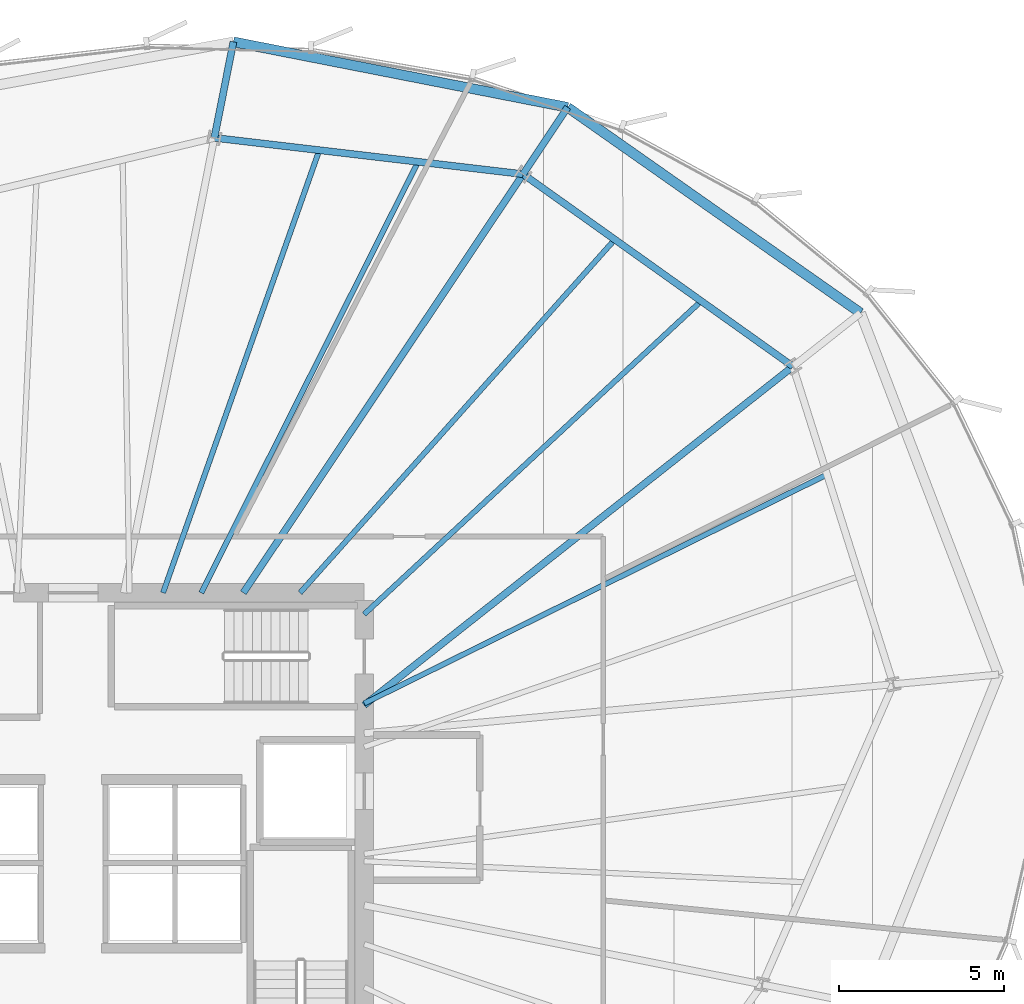
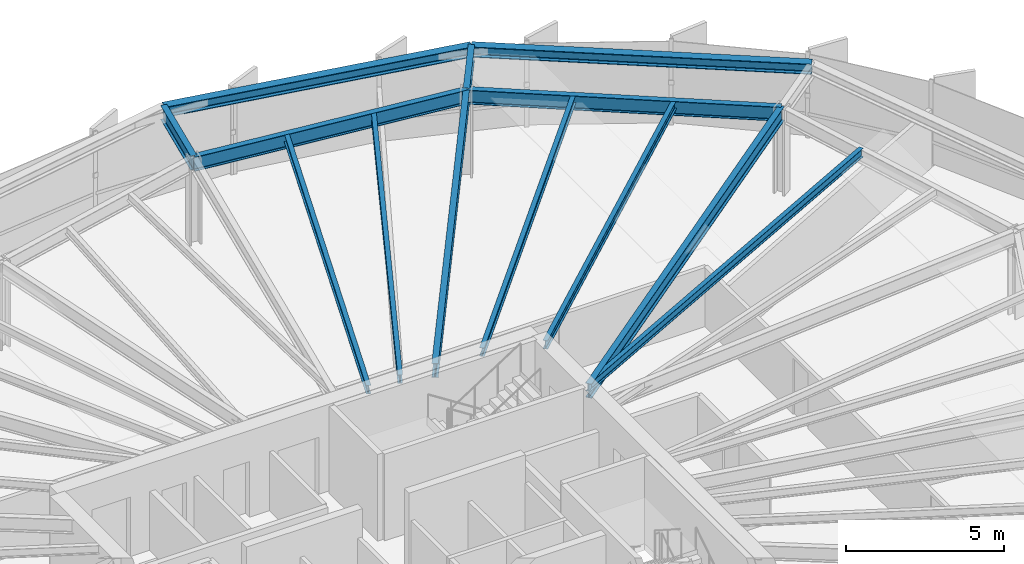
# One storey, part 22 of 33: 13 beams.
"""IFC4 building model written with IfcOpenShell, lengths in metres."""

from ifc_helpers import new_model, si_unit, direction, frame, origin, origin_2d, place, context, subcontext, project, spatial, i_section, extrude, source, transform, mapped, material, material_profile, profile_set, type_object, element, save


model = new_model("IFC4")

# Units and contexts
model_context = context("Model", 3, precision=1e-05, world=origin(), true_north=direction((0.0, 1.0)))
body_context = subcontext(model_context, "Body", "Model", "MODEL_VIEW")
ifc_project = project(units=[si_unit("LENGTHUNIT", "METRE"), si_unit("AREAUNIT", "SQUARE_METRE"), si_unit("VOLUMEUNIT", "CUBIC_METRE"), si_unit("PLANEANGLEUNIT", "RADIAN"), si_unit("MASSUNIT", "GRAM", prefix="KILO"), si_unit("THERMODYNAMICTEMPERATUREUNIT", "KELVIN")], contexts=[model_context])

# Site, building, storey
site_placement = place(None, origin())
site = spatial("IfcSite", under=ifc_project, at=site_placement, CompositionType="ELEMENT")
building_placement = place(site_placement, origin())
building = spatial("IfcBuilding", under=site, at=building_placement, Name="Kethvar Cultural Tower", CompositionType="ELEMENT")
storey_placement = place(building_placement, frame((0.0, 0.0, 110.800048828125)))
storey = spatial("IfcBuildingStorey", under=building, at=storey_placement, Name="L27", CompositionType="ELEMENT", Elevation=110.800048828125)

# Beams
ifc_material = material(Name="Steel S355J2", Category="steel")
ifc_material_profile_1 = material_profile(ifc_material, i_section(OverallWidth=0.2099609375, OverallDepth=0.550048828125, WebThickness=0.010986328125, FlangeThickness=0.01708984375, FilletRadius=0.02392578125, at=origin_2d()), Name="Steel S355J2 — IPE550")
ifc_profile_set_1 = profile_set([ifc_material_profile_1], Name="Steel S355J2 — IPE550")
beam_type_1 = type_object("IfcBeamType", Name="BM-IPE550", PredefinedType="BEAM", material=ifc_profile_set_1)
shared_shape_1 = source(origin(), body_context, "Body", "SweptSolid", [
    extrude(i_section(OverallWidth=0.2099609375, OverallDepth=0.550048828125, WebThickness=0.010986328125, FlangeThickness=0.01708984375, FilletRadius=0.02392578125, at=origin_2d()), origin(), (0.0, 0.0, 1.0), 16.527099609375),
])
beam_1_placement = place(storey_placement, frame((55.60009765625, 32.10009765625, 3.072998046875), z_axis=(0.784681939021, 0.619898584105, 0.0), x_axis=(-0.619898584105, 0.784681939021, 0.0)))
element("IfcBeam", 1, at=beam_1_placement, inside=storey, type_object=beam_type_1, Name="L27 Primary Radial Beam RB-02", PredefinedType="BEAM", context=body_context, shape_type="MappedRepresentation", body=[
    mapped(shared_shape_1, transform((0.0, 0.0, 0.0), scale=1.0)),
])
shared_shape_2 = source(origin(), body_context, "Body", "SweptSolid", [
    extrude(i_section(OverallWidth=0.2099609375, OverallDepth=0.550048828125, WebThickness=0.010986328125, FlangeThickness=0.01708984375, FilletRadius=0.02392578125, at=origin_2d()), origin(), (0.0, 0.0, 1.0), 15.22705078125),
])
beam_2_placement = place(storey_placement, frame((51.945068359375, 35.5, 3.072998046875), z_axis=(0.555569390778, 0.83147017507, 0.0), x_axis=(-0.83147017507, 0.555569390778, 0.0)))
element("IfcBeam", 2, at=beam_2_placement, inside=storey, type_object=beam_type_1, Name="L27 Primary Radial Beam RB-03", PredefinedType="BEAM", context=body_context, shape_type="MappedRepresentation", body=[
    mapped(shared_shape_2, transform((0.0, 0.0, 0.0), scale=1.0)),
])
ifc_material_profile_2 = material_profile(ifc_material, i_section(OverallWidth=0.159912109375, OverallDepth=0.330078125, WebThickness=0.007568359375, FlangeThickness=0.011474609375, FilletRadius=0.01806640625, at=origin_2d()), Name="Steel S355J2 — IPE330")
ifc_profile_set_2 = profile_set([ifc_material_profile_2], Name="Steel S355J2 — IPE330")
beam_type_2 = type_object("IfcBeamType", Name="BM-J330", PredefinedType="JOIST", material=ifc_profile_set_2)
shared_shape_3 = source(origin(), body_context, "Body", "SweptSolid", [
    extrude(i_section(OverallWidth=0.159912109375, OverallDepth=0.330078125, WebThickness=0.007568359375, FlangeThickness=0.011474609375, FilletRadius=0.01806640625, at=origin_2d()), origin(), (0.0, 0.0, 1.0), 15.618896484375),
])
beam_3_placement = place(storey_placement, frame((55.60009765625, 32.152587890625, 3.182861328125), z_axis=(0.896344638992, 0.443357968408, 0.0), x_axis=(-0.443357968408, 0.896344638992, 0.0)))
element("IfcBeam", 3, at=beam_3_placement, inside=storey, type_object=beam_type_2, Name="L27 Composite Floor Joist J-01B", PredefinedType="JOIST", context=body_context, shape_type="MappedRepresentation", body=[
    mapped(shared_shape_3, transform((0.0, 0.0, 0.0), scale=1.0)),
])
shared_shape_4 = source(origin(), body_context, "Body", "SweptSolid", [
    extrude(i_section(OverallWidth=0.2099609375, OverallDepth=0.550048828125, WebThickness=0.010986328125, FlangeThickness=0.01708984375, FilletRadius=0.02392578125, at=origin_2d()), origin(), (0.0, 0.0, 1.0), 10.0234375),
])
beam_4_placement = place(storey_placement, frame((68.568603515625, 42.34521484375, 3.072998046875), z_axis=(-0.814470106239, 0.580205520521, 0.0), x_axis=(-0.580205520521, -0.814470106239, 0.0)))
element("IfcBeam", 4, at=beam_4_placement, inside=storey, type_object=beam_type_1, Name="L27 Column Ring Tie Beam CR-02", PredefinedType="BEAM", context=body_context, shape_type="MappedRepresentation", body=[
    mapped(shared_shape_4, transform((0.0, 0.0, 0.0), scale=1.0)),
])
shared_shape_5 = source(origin(), body_context, "Body", "SweptSolid", [
    extrude(i_section(OverallWidth=0.159912109375, OverallDepth=0.330078125, WebThickness=0.007568359375, FlangeThickness=0.011474609375, FilletRadius=0.01806640625, at=origin_2d()), origin(), (0.0, 0.0, 1.0), 13.91455078125),
])
beam_5_placement = place(storey_placement, frame((55.60009765625, 34.85009765625, 3.182861328125), z_axis=(0.732512843328, 0.680753211054, 0.0), x_axis=(-0.680753211054, 0.732512843328, 0.0)))
element("IfcBeam", 5, at=beam_5_placement, inside=storey, type_object=beam_type_2, Name="L27 Composite Floor Joist J-02A", PredefinedType="JOIST", context=body_context, shape_type="MappedRepresentation", body=[
    mapped(shared_shape_5, transform((0.0, 0.0, 0.0), scale=1.0)),
])
shared_shape_6 = source(origin(), body_context, "Body", "SweptSolid", [
    extrude(i_section(OverallWidth=0.159912109375, OverallDepth=0.330078125, WebThickness=0.007568359375, FlangeThickness=0.011474609375, FilletRadius=0.01806640625, at=origin_2d()), origin(), (0.0, 0.0, 1.0), 14.3095703125),
])
beam_6_placement = place(storey_placement, frame((53.660888671875, 35.5, 3.182861328125), z_axis=(0.665261381663, 0.746610537073, 0.0), x_axis=(-0.746610537073, 0.665261381663, 0.0)))
element("IfcBeam", 6, at=beam_6_placement, inside=storey, type_object=beam_type_2, Name="L27 Composite Floor Joist J-02B", PredefinedType="JOIST", context=body_context, shape_type="MappedRepresentation", body=[
    mapped(shared_shape_6, transform((0.0, 0.0, 0.0), scale=1.0)),
])
shared_shape_7 = source(origin(), body_context, "Body", "SweptSolid", [
    extrude(i_section(OverallWidth=0.2099609375, OverallDepth=0.550048828125, WebThickness=0.010986328125, FlangeThickness=0.01708984375, FilletRadius=0.02392578125, at=origin_2d()), origin(), (0.0, 0.0, 1.0), 9.400634765625),
])
beam_7_placement = place(storey_placement, frame((60.40478515625, 48.160888671875, 3.072998046875), z_axis=(-0.993150427046, 0.116842754407, 0.0), x_axis=(-0.116842754407, -0.993150427046, 0.0)))
element("IfcBeam", 7, at=beam_7_placement, inside=storey, type_object=beam_type_1, Name="L27 Column Ring Tie Beam CR-03", PredefinedType="BEAM", context=body_context, shape_type="MappedRepresentation", body=[
    mapped(shared_shape_7, transform((0.0, 0.0, 0.0), scale=1.0)),
])
shared_shape_8 = source(origin(), body_context, "Body", "SweptSolid", [
    extrude(i_section(OverallWidth=0.159912109375, OverallDepth=0.330078125, WebThickness=0.007568359375, FlangeThickness=0.011474609375, FilletRadius=0.01806640625, at=origin_2d()), origin(), (0.0, 0.0, 1.0), 14.590576171875),
])
beam_8_placement = place(storey_placement, frame((50.673583984375, 35.5, 3.182861328125), z_axis=(0.449394228778, 0.893333547529, 0.0), x_axis=(-0.893333547529, 0.449394228778, 0.0)))
element("IfcBeam", 8, at=beam_8_placement, inside=storey, type_object=beam_type_2, Name="L27 Composite Floor Joist J-03A", PredefinedType="JOIST", context=body_context, shape_type="MappedRepresentation", body=[
    mapped(shared_shape_8, transform((0.0, 0.0, 0.0), scale=1.0)),
])
shared_shape_9 = source(origin(), body_context, "Body", "SweptSolid", [
    extrude(i_section(OverallWidth=0.159912109375, OverallDepth=0.330078125, WebThickness=0.007568359375, FlangeThickness=0.011474609375, FilletRadius=0.01806640625, at=origin_2d()), origin(), (0.0, 0.0, 1.0), 14.1953125),
])
beam_9_placement = place(storey_placement, frame((49.517822265625, 35.5, 3.182861328125), z_axis=(0.332865098769, 0.942974456717, 0.0), x_axis=(-0.942974456717, 0.332865098769, 0.0)))
element("IfcBeam", 9, at=beam_9_placement, inside=storey, type_object=beam_type_2, Name="L27 Composite Floor Joist J-03B", PredefinedType="JOIST", context=body_context, shape_type="MappedRepresentation", body=[
    mapped(shared_shape_9, transform((0.0, 0.0, 0.0), scale=1.0)),
])
shared_shape_10 = source(origin(), body_context, "Body", "SweptSolid", [
    extrude(i_section(OverallWidth=0.2099609375, OverallDepth=0.550048828125, WebThickness=0.010986328125, FlangeThickness=0.01708984375, FilletRadius=0.02392578125, at=origin_2d()), origin(), (0.0, 0.0, 1.0), 2.43017578125),
])
beam_10_placement = place(storey_placement, frame((60.40478515625, 48.160888671875, 3.072998046875), z_axis=(0.555534493977, 0.831493491256, 0.0), x_axis=(-0.831493491256, 0.555534493977, 0.0)))
element("IfcBeam", 10, at=beam_10_placement, inside=storey, type_object=beam_type_1, Name="L27 Perimeter Cantilever Beam RC-03", PredefinedType="BEAM", context=body_context, shape_type="MappedRepresentation", body=[
    mapped(shared_shape_10, transform((0.0, 0.0, 0.0), scale=1.0)),
])
shared_shape_11 = source(origin(), body_context, "Body", "SweptSolid", [
    extrude(i_section(OverallWidth=0.2099609375, OverallDepth=0.550048828125, WebThickness=0.010986328125, FlangeThickness=0.01708984375, FilletRadius=0.02392578125, at=origin_2d()), origin(), (0.0, 0.0, 1.0), 2.95947265625),
])
beam_11_placement = place(storey_placement, frame((51.068603515625, 49.25927734375, 3.072998046875), z_axis=(0.195100706766, 0.980783214691, 0.0), x_axis=(-0.980783214691, 0.195100706766, 0.0)))
element("IfcBeam", 11, at=beam_11_placement, inside=storey, type_object=beam_type_1, Name="L27 Perimeter Cantilever Beam RC-04", PredefinedType="BEAM", context=body_context, shape_type="MappedRepresentation", body=[
    mapped(shared_shape_11, transform((0.0, 0.0, 0.0), scale=1.0)),
])
ifc_material_profile_3 = material_profile(ifc_material, i_section(OverallWidth=0.300048828125, OverallDepth=0.39990234375, WebThickness=0.013427734375, FlangeThickness=0.02392578125, FilletRadius=0.027099609375, at=origin_2d()), Name="Steel S355J2 — HEB400")
ifc_profile_set_3 = profile_set([ifc_material_profile_3], Name="Steel S355J2 — HEB400")
beam_type_3 = type_object("IfcBeamType", Name="BM-SP400", PredefinedType="SPANDREL", material=ifc_profile_set_3)
shared_shape_12 = source(origin(), body_context, "Body", "SweptSolid", [
    extrude(i_section(OverallWidth=0.300048828125, OverallDepth=0.39990234375, WebThickness=0.013427734375, FlangeThickness=0.02392578125, FilletRadius=0.027099609375, at=origin_2d()), origin(), (0.0, 0.0, 1.0), 10.824462890625),
])
beam_12_placement = place(storey_placement, frame((70.61328125, 43.960693359375, 3.14794921875), z_axis=(-0.818359986309, 0.574705953344, 0.0), x_axis=(-0.574705953344, -0.818359986309, 0.0)))
element("IfcBeam", 12, at=beam_12_placement, inside=storey, type_object=beam_type_3, Name="L27 Perimeter Spandrel Beam SP-02", PredefinedType="SPANDREL", context=body_context, shape_type="MappedRepresentation", body=[
    mapped(shared_shape_12, transform((0.0, 0.0, 0.0), scale=1.0)),
])
shared_shape_13 = source(origin(), body_context, "Body", "SweptSolid", [
    extrude(i_section(OverallWidth=0.300048828125, OverallDepth=0.39990234375, WebThickness=0.013427734375, FlangeThickness=0.02392578125, FilletRadius=0.027099609375, at=origin_2d()), origin(), (0.0, 0.0, 1.0), 10.301025390625),
])
beam_13_placement = place(storey_placement, frame((61.7548828125, 50.181640625, 3.14794921875), z_axis=(-0.981348744746, 0.192235899837, 0.0), x_axis=(-0.192235899837, -0.981348744746, 0.0)))
element("IfcBeam", 13, at=beam_13_placement, inside=storey, type_object=beam_type_3, Name="L27 Perimeter Spandrel Beam SP-03", PredefinedType="SPANDREL", context=body_context, shape_type="MappedRepresentation", body=[
    mapped(shared_shape_13, transform((0.0, 0.0, 0.0), scale=1.0)),
])

save(model, "model.ifc")
